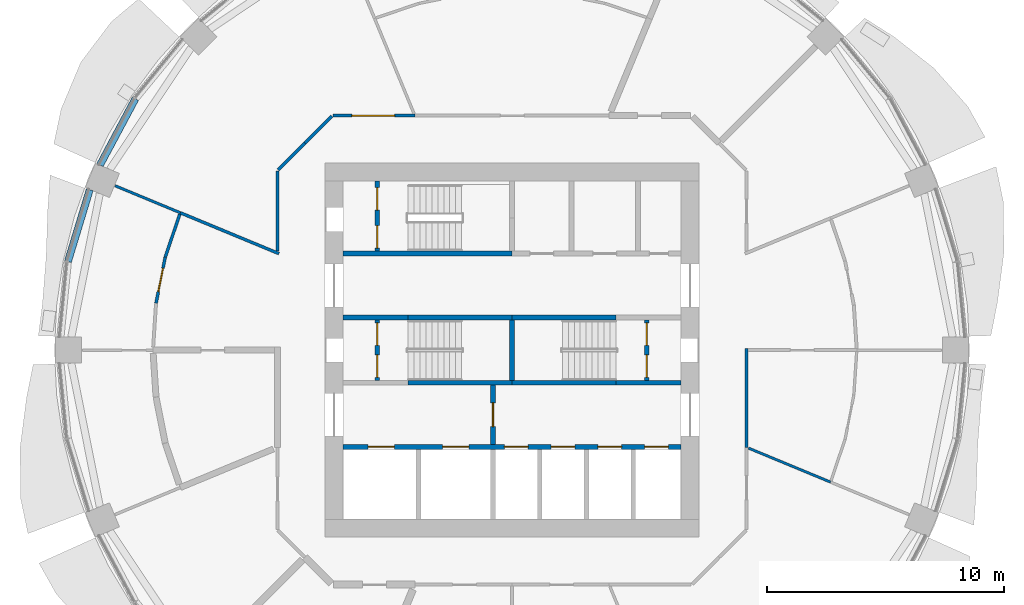
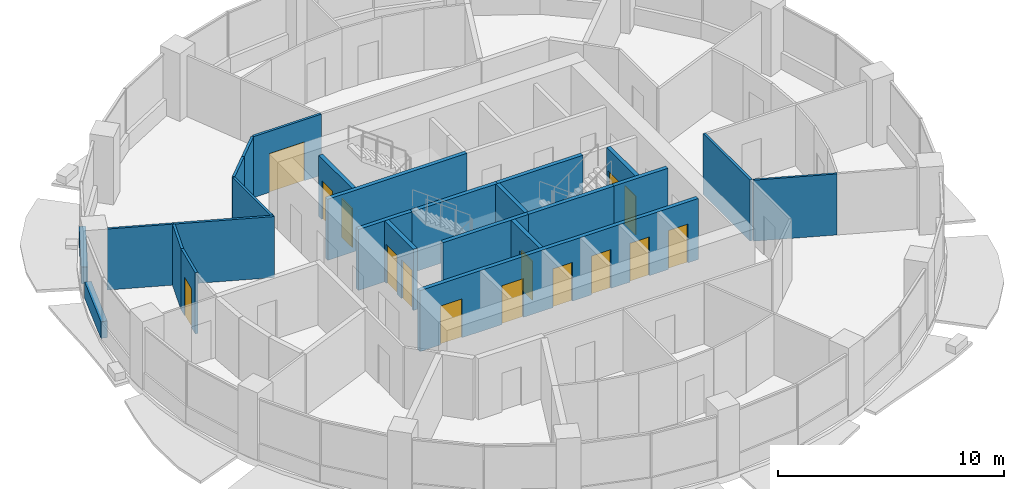
# One storey, part 8 of 14: 25 walls, 15 doors, 15 openings.
"""IFC4 building model written with IfcOpenShell, lengths in metres."""

from ifc_helpers import new_model, si_unit, direction, frame, frame_2d, origin, place, context, subcontext, project, spatial, rectangle, extrude, material, layer, layer_set, type_object, element, fill, save


model = new_model("IFC4")

# Units and contexts
model_context = context("Model", 3, precision=1e-05, world=origin(), true_north=direction((0.0, 1.0)))
body_context = subcontext(model_context, "Body", "Model", "MODEL_VIEW")
ifc_project = project(units=[si_unit("LENGTHUNIT", "METRE"), si_unit("AREAUNIT", "SQUARE_METRE"), si_unit("VOLUMEUNIT", "CUBIC_METRE"), si_unit("PLANEANGLEUNIT", "RADIAN"), si_unit("MASSUNIT", "GRAM", prefix="KILO")], contexts=[model_context])

# Site, building, storey
site_placement = place(None, origin())
site = spatial("IfcSite", under=ifc_project, at=site_placement, CompositionType="ELEMENT")
building_placement = place(site_placement, origin())
building = spatial("IfcBuilding", under=site, at=building_placement, Name="Polderwave Tower", CompositionType="ELEMENT")
storey_placement = place(building_placement, frame((0.0, 0.0, 101.949951171875)))
storey = spatial("IfcBuildingStorey", under=building, at=storey_placement, Name="L26", CompositionType="ELEMENT", Elevation=101.949951171875)

# Walls
ifc_material_1 = material(Name="Concrete C50/60 (board-marked)", Category="concrete")
ifc_layer_1 = layer(ifc_material_1, 0.300048828125)
ifc_layer_set_1 = layer_set([ifc_layer_1], Name="Concrete spandrel upstand C50/60")
wall_type_1 = type_object("IfcWallType", Name="Concrete spandrel upstand C50/60", PredefinedType="SOLIDWALL", material=ifc_layer_set_1)
wall_1_placement = place(storey_placement, frame((-15.863037109375, 10.581787109375, 0.0), z_axis=(0.0, 0.0, 1.0), x_axis=(-0.471238306932, -0.882005928597, 0.0)))
element("IfcWall", 1, at=wall_1_placement, inside=storey, type_object=wall_type_1, Name="Spandrel L26 7b", PredefinedType="SOLIDWALL", context=body_context, shape_type="SweptSolid", body=[
    extrude(rectangle(XDim=3.1572265625, YDim=0.300048828125, at=frame_2d((1.57861328125, 0.0))), origin(), (0.0, 0.0, 1.0), 0.900146484375),
])
wall_2_placement = place(storey_placement, frame((-17.782470703125, 6.755615234375, 0.0), z_axis=(0.0, 0.0, 1.0), x_axis=(-0.290503096001, -0.956874051907, 0.0)))
element("IfcWall", 2, at=wall_2_placement, inside=storey, type_object=wall_type_1, Name="Spandrel L26 8a", PredefinedType="SOLIDWALL", context=body_context, shape_type="SweptSolid", body=[
    extrude(rectangle(XDim=3.157470703125, YDim=0.300048828125, at=frame_2d((1.57861328125, 0.0))), origin(), (0.0, 0.0, 1.0), 0.900146484375),
])

# Wall, opening, door
ifc_material_2 = material(Name="Gypsum board partition")
ifc_layer_2 = layer(ifc_material_2, 0.199951171875)
ifc_layer_set_2 = layer_set([ifc_layer_2], Name="Core room partition 200")
wall_type_2 = type_object("IfcWallType", Name="Core room partition 200", PredefinedType="PARTITIONING", material=ifc_layer_set_2)
wall_3_placement = place(storey_placement, frame((-0.800048828125, -3.97412109375, 0.0), z_axis=(0.0, 0.0, 1.0), x_axis=(0.0, 1.0, 0.0)))
wall_3 = element("IfcWall", 3, at=wall_3_placement, inside=storey, type_object=wall_type_2, Name="L26 fire-fighting lobby wall", PredefinedType="PARTITIONING", context=body_context, shape_type="SweptSolid", body=[
    extrude(rectangle(XDim=2.4990234375, YDim=0.199951171875, at=frame_2d((1.24951171875, 0.0))), origin(), (0.0, 0.0, 1.0), 3.300048828125),
])
opening_1_placement = place(wall_3_placement, frame((0.74951171875, 0.0, 0.0)))
opening_1 = element("IfcOpeningElement", 4, at=opening_1_placement, cuts=wall_3, Name="Opening L26-D13", PredefinedType="OPENING", context=body_context, shape_type="SweptSolid", body=[
    extrude(rectangle(XDim=1.0, YDim=2.10009765625, at=frame_2d((0.5, 1.050048828125))), frame((0.0, 0.10986328125, 0.0), z_axis=(0.0, -1.0, 0.0), x_axis=(1.0, 0.0, 0.0)), (0.0, 0.0, 1.0), 0.219970703125),
])
ifc_material_3 = material(Name="Steel fire door", Category="steel")
door_type_1 = type_object("IfcDoorType", Name="Lobby fire door 1000", OperationType="NOTDEFINED", PredefinedType="DOOR", material=ifc_material_3)
door_1_placement = place(opening_1_placement, frame((1.0, 0.0, 0.0), z_axis=(0.0, 0.0, 1.0), x_axis=(-1.0, 0.0, 0.0)))
door_1 = element("IfcDoor", 5, at=door_1_placement, inside=storey, type_object=door_type_1, Name="Fire-fighting lobby door", OperationType="SINGLE_SWING_LEFT", OverallHeight=2.10009765625, OverallWidth=1.0, PredefinedType="DOOR", context=body_context, shape_type="SweptSolid", body=[
    extrude(rectangle(XDim=1.0, YDim=2.10009765625, at=frame_2d((0.5, 1.050048828125))), frame((0.0, 0.02490234375, 0.0), z_axis=(0.0, -1.0, 0.0), x_axis=(1.0, 0.0, 0.0)), (0.0, 0.0, 1.0), 0.050048828125),
])
fill(opening_1, door_1)

# Wall, openings, doors
wall_4_placement = place(storey_placement, frame((-5.674072265625, -1.27490234375, 0.0), z_axis=(0.0, 0.0, 1.0), x_axis=(0.0, 1.0, 0.0)))
wall_4 = element("IfcWall", 6, at=wall_4_placement, inside=storey, type_object=wall_type_2, Name="L26 smoke lobby wall A", PredefinedType="PARTITIONING", context=body_context, shape_type="SweptSolid", body=[
    extrude(rectangle(XDim=2.5498046875, YDim=0.199951171875, at=frame_2d((1.27490234375, 0.0))), origin(), (0.0, 0.0, 1.0), 3.300048828125),
])
opening_2_placement = place(wall_4_placement, frame((0.125, 0.0, 0.0)))
opening_2 = element("IfcOpeningElement", 7, at=opening_2_placement, cuts=wall_4, Name="Opening L26-D07", PredefinedType="OPENING", context=body_context, shape_type="SweptSolid", body=[
    extrude(rectangle(XDim=0.949951171875, YDim=2.10009765625, at=frame_2d((0.47509765625, 1.050048828125))), frame((0.0, 0.10986328125, 0.0), z_axis=(0.0, -1.0, 0.0), x_axis=(1.0, 0.0, 0.0)), (0.0, 0.0, 1.0), 0.219970703125),
])
opening_3_placement = place(wall_4_placement, frame((1.47509765625, 0.0, 0.0)))
opening_3 = element("IfcOpeningElement", 8, at=opening_3_placement, cuts=wall_4, Name="Opening L26-D08", PredefinedType="OPENING", context=body_context, shape_type="SweptSolid", body=[
    extrude(rectangle(XDim=0.949951171875, YDim=2.10009765625, at=frame_2d((0.47509765625, 1.050048828125))), frame((0.0, 0.10986328125, 0.0), z_axis=(0.0, -1.0, 0.0), x_axis=(1.0, 0.0, 0.0)), (0.0, 0.0, 1.0), 0.219970703125),
])
door_type_2 = type_object("IfcDoorType", Name="Smoke lobby door 950", OperationType="NOTDEFINED", PredefinedType="DOOR", material=ifc_material_3)
door_2_placement = place(opening_2_placement, origin())
door_2 = element("IfcDoor", 9, at=door_2_placement, inside=storey, type_object=door_type_2, Name="Stair A smoke lobby inner door", OperationType="SINGLE_SWING_LEFT", OverallHeight=2.10009765625, OverallWidth=0.949951171875, PredefinedType="DOOR", context=body_context, shape_type="SweptSolid", body=[
    extrude(rectangle(XDim=0.949951171875, YDim=2.10009765625, at=frame_2d((0.47509765625, 1.050048828125))), frame((0.0, 0.02490234375, 0.0), z_axis=(0.0, -1.0, 0.0), x_axis=(1.0, 0.0, 0.0)), (0.0, 0.0, 1.0), 0.050048828125),
])
fill(opening_2, door_2)
door_3_placement = place(opening_3_placement, origin())
door_3 = element("IfcDoor", 10, at=door_3_placement, inside=storey, type_object=door_type_2, Name="Stair A smoke lobby inner door", OperationType="SINGLE_SWING_RIGHT", OverallHeight=2.10009765625, OverallWidth=0.949951171875, PredefinedType="DOOR", context=body_context, shape_type="SweptSolid", body=[
    extrude(rectangle(XDim=0.949951171875, YDim=2.10009765625, at=frame_2d((0.47509765625, 1.050048828125))), frame((0.0, 0.02490234375, 0.0), z_axis=(0.0, -1.0, 0.0), x_axis=(1.0, 0.0, 0.0)), (0.0, 0.0, 1.0), 0.050048828125),
])
fill(opening_3, door_3)

wall_5_placement = place(storey_placement, frame((5.674072265625, -1.27490234375, 0.0), z_axis=(0.0, 0.0, 1.0), x_axis=(0.0, 1.0, 0.0)))
wall_5 = element("IfcWall", 11, at=wall_5_placement, inside=storey, type_object=wall_type_2, Name="L26 smoke lobby wall B", PredefinedType="PARTITIONING", context=body_context, shape_type="SweptSolid", body=[
    extrude(rectangle(XDim=2.5498046875, YDim=0.199951171875, at=frame_2d((1.27490234375, 0.0))), origin(), (0.0, 0.0, 1.0), 3.300048828125),
])
opening_4_placement = place(wall_5_placement, frame((0.125, 0.0, 0.0)))
opening_4 = element("IfcOpeningElement", 12, at=opening_4_placement, cuts=wall_5, Name="Opening L26-D09", PredefinedType="OPENING", context=body_context, shape_type="SweptSolid", body=[
    extrude(rectangle(XDim=0.949951171875, YDim=2.10009765625, at=frame_2d((0.47509765625, 1.050048828125))), frame((0.0, 0.10986328125, 0.0), z_axis=(0.0, -1.0, 0.0), x_axis=(1.0, 0.0, 0.0)), (0.0, 0.0, 1.0), 0.219970703125),
])
opening_5_placement = place(wall_5_placement, frame((1.47509765625, 0.0, 0.0)))
opening_5 = element("IfcOpeningElement", 13, at=opening_5_placement, cuts=wall_5, Name="Opening L26-D10", PredefinedType="OPENING", context=body_context, shape_type="SweptSolid", body=[
    extrude(rectangle(XDim=0.949951171875, YDim=2.10009765625, at=frame_2d((0.47509765625, 1.050048828125))), frame((0.0, 0.10986328125, 0.0), z_axis=(0.0, -1.0, 0.0), x_axis=(1.0, 0.0, 0.0)), (0.0, 0.0, 1.0), 0.219970703125),
])
door_4_placement = place(opening_4_placement, frame((0.949951171875, 0.0, 0.0), z_axis=(0.0, 0.0, 1.0), x_axis=(-1.0, 0.0, 0.0)))
door_4 = element("IfcDoor", 14, at=door_4_placement, inside=storey, type_object=door_type_2, Name="Stair B smoke lobby inner door", OperationType="SINGLE_SWING_RIGHT", OverallHeight=2.10009765625, OverallWidth=0.949951171875, PredefinedType="DOOR", context=body_context, shape_type="SweptSolid", body=[
    extrude(rectangle(XDim=0.949951171875, YDim=2.10009765625, at=frame_2d((0.47509765625, 1.050048828125))), frame((0.0, 0.02490234375, 0.0), z_axis=(0.0, -1.0, 0.0), x_axis=(1.0, 0.0, 0.0)), (0.0, 0.0, 1.0), 0.050048828125),
])
fill(opening_4, door_4)
door_5_placement = place(opening_5_placement, frame((0.949951171875, 0.0, 0.0), z_axis=(0.0, 0.0, 1.0), x_axis=(-1.0, 0.0, 0.0)))
door_5 = element("IfcDoor", 15, at=door_5_placement, inside=storey, type_object=door_type_2, Name="Stair B smoke lobby inner door", OperationType="SINGLE_SWING_LEFT", OverallHeight=2.10009765625, OverallWidth=0.949951171875, PredefinedType="DOOR", context=body_context, shape_type="SweptSolid", body=[
    extrude(rectangle(XDim=0.949951171875, YDim=2.10009765625, at=frame_2d((0.47509765625, 1.050048828125))), frame((0.0, 0.02490234375, 0.0), z_axis=(0.0, -1.0, 0.0), x_axis=(1.0, 0.0, 0.0)), (0.0, 0.0, 1.0), 0.050048828125),
])
fill(opening_5, door_5)

wall_6_placement = place(storey_placement, frame((-5.674072265625, 4.174072265625, 0.0), z_axis=(0.0, 0.0, 1.0), x_axis=(0.0, 1.0, 0.0)))
wall_6 = element("IfcWall", 16, at=wall_6_placement, inside=storey, type_object=wall_type_2, Name="L26 smoke lobby wall C", PredefinedType="PARTITIONING", context=body_context, shape_type="SweptSolid", body=[
    extrude(rectangle(XDim=2.949951171875, YDim=0.199951171875, at=frame_2d((1.47509765625, 0.0))), origin(), (0.0, 0.0, 1.0), 3.300048828125),
])
opening_6_placement = place(wall_6_placement, frame((0.125, 0.0, 0.0)))
opening_6 = element("IfcOpeningElement", 17, at=opening_6_placement, cuts=wall_6, Name="Opening L26-D11", PredefinedType="OPENING", context=body_context, shape_type="SweptSolid", body=[
    extrude(rectangle(XDim=0.949951171875, YDim=2.10009765625, at=frame_2d((0.47509765625, 1.050048828125))), frame((0.0, 0.10986328125, 0.0), z_axis=(0.0, -1.0, 0.0), x_axis=(1.0, 0.0, 0.0)), (0.0, 0.0, 1.0), 0.219970703125),
])
opening_7_placement = place(wall_6_placement, frame((1.72509765625, 0.0, 0.0)))
opening_7 = element("IfcOpeningElement", 18, at=opening_7_placement, cuts=wall_6, Name="Opening L26-D12", PredefinedType="OPENING", context=body_context, shape_type="SweptSolid", body=[
    extrude(rectangle(XDim=0.949951171875, YDim=2.10009765625, at=frame_2d((0.47509765625, 1.050048828125))), frame((0.0, 0.10986328125, 0.0), z_axis=(0.0, -1.0, 0.0), x_axis=(1.0, 0.0, 0.0)), (0.0, 0.0, 1.0), 0.219970703125),
])
door_6_placement = place(opening_6_placement, origin())
door_6 = element("IfcDoor", 19, at=door_6_placement, inside=storey, type_object=door_type_2, Name="Stair C smoke lobby inner door", OperationType="SINGLE_SWING_LEFT", OverallHeight=2.10009765625, OverallWidth=0.949951171875, PredefinedType="DOOR", context=body_context, shape_type="SweptSolid", body=[
    extrude(rectangle(XDim=0.949951171875, YDim=2.10009765625, at=frame_2d((0.47509765625, 1.050048828125))), frame((0.0, 0.02490234375, 0.0), z_axis=(0.0, -1.0, 0.0), x_axis=(1.0, 0.0, 0.0)), (0.0, 0.0, 1.0), 0.050048828125),
])
fill(opening_6, door_6)
door_7_placement = place(opening_7_placement, origin())
door_7 = element("IfcDoor", 20, at=door_7_placement, inside=storey, type_object=door_type_2, Name="Stair C smoke lobby inner door", OperationType="SINGLE_SWING_RIGHT", OverallHeight=2.10009765625, OverallWidth=0.949951171875, PredefinedType="DOOR", context=body_context, shape_type="SweptSolid", body=[
    extrude(rectangle(XDim=0.949951171875, YDim=2.10009765625, at=frame_2d((0.47509765625, 1.050048828125))), frame((0.0, 0.02490234375, 0.0), z_axis=(0.0, -1.0, 0.0), x_axis=(1.0, 0.0, 0.0)), (0.0, 0.0, 1.0), 0.050048828125),
])
fill(opening_7, door_7)

ifc_material_4 = material(Name="Concrete C50/60", Category="concrete")
ifc_layer_3 = layer(ifc_material_4, 0.199951171875)
ifc_layer_set_3 = layer_set([ifc_layer_3], Name="Core web wall 200")
wall_type_3 = type_object("IfcWallType", Name="Core web wall 200", PredefinedType="SHEAR", material=ifc_layer_set_3)
wall_7_placement = place(storey_placement, frame((-7.1240234375, -4.073974609375, 0.0), z_axis=(0.0, 0.0, 1.0), x_axis=(1.0, 0.0, 0.0)))
wall_7 = element("IfcWall", 21, at=wall_7_placement, inside=storey, type_object=wall_type_3, Name="L26 south front wall", PredefinedType="SHEAR", context=body_context, shape_type="SweptSolid", body=[
    extrude(rectangle(XDim=14.248046875, YDim=0.199951171875, at=frame_2d((7.1240234375, 0.0))), origin(), (0.0, 0.0, 1.0), 3.300048828125),
])
opening_8_placement = place(wall_7_placement, frame((1.068603515625, 0.0, 0.0)))
opening_8 = element("IfcOpeningElement", 22, at=opening_8_placement, cuts=wall_7, Name="Opening L26-D01", PredefinedType="OPENING", context=body_context, shape_type="SweptSolid", body=[
    extrude(rectangle(XDim=1.10009765625, YDim=2.10009765625, at=frame_2d((0.550048828125, 1.050048828125))), frame((0.0, 0.10986328125, 0.0), z_axis=(0.0, -1.0, 0.0), x_axis=(1.0, 0.0, 0.0)), (0.0, 0.0, 1.0), 0.219970703125),
])
opening_9_placement = place(wall_7_placement, frame((4.20556640625, 0.0, 0.0)))
opening_9 = element("IfcOpeningElement", 23, at=opening_9_placement, cuts=wall_7, Name="Opening L26-D02", PredefinedType="OPENING", context=body_context, shape_type="SweptSolid", body=[
    extrude(rectangle(XDim=1.10009765625, YDim=2.10009765625, at=frame_2d((0.550048828125, 1.050048828125))), frame((0.0, 0.10986328125, 0.0), z_axis=(0.0, -1.0, 0.0), x_axis=(1.0, 0.0, 0.0)), (0.0, 0.0, 1.0), 0.219970703125),
])
opening_10_placement = place(wall_7_placement, frame((6.80810546875, 0.0, 0.0)))
opening_10 = element("IfcOpeningElement", 24, at=opening_10_placement, cuts=wall_7, Name="Opening L26-D03", PredefinedType="OPENING", context=body_context, shape_type="SweptSolid", body=[
    extrude(rectangle(XDim=1.0, YDim=2.10009765625, at=frame_2d((0.5, 1.050048828125))), frame((0.0, 0.10986328125, 0.0), z_axis=(0.0, -1.0, 0.0), x_axis=(1.0, 0.0, 0.0)), (0.0, 0.0, 1.0), 0.219970703125),
])
opening_11_placement = place(wall_7_placement, frame((8.776611328125, 0.0, 0.0)))
opening_11 = element("IfcOpeningElement", 25, at=opening_11_placement, cuts=wall_7, Name="Opening L26-D04", PredefinedType="OPENING", context=body_context, shape_type="SweptSolid", body=[
    extrude(rectangle(XDim=1.0, YDim=2.10009765625, at=frame_2d((0.5, 1.050048828125))), frame((0.0, 0.10986328125, 0.0), z_axis=(0.0, -1.0, 0.0), x_axis=(1.0, 0.0, 0.0)), (0.0, 0.0, 1.0), 0.219970703125),
])
opening_12_placement = place(wall_7_placement, frame((10.7451171875, 0.0, 0.0)))
opening_12 = element("IfcOpeningElement", 26, at=opening_12_placement, cuts=wall_7, Name="Opening L26-D05", PredefinedType="OPENING", context=body_context, shape_type="SweptSolid", body=[
    extrude(rectangle(XDim=1.0, YDim=2.10009765625, at=frame_2d((0.5, 1.050048828125))), frame((0.0, 0.10986328125, 0.0), z_axis=(0.0, -1.0, 0.0), x_axis=(1.0, 0.0, 0.0)), (0.0, 0.0, 1.0), 0.219970703125),
])
opening_13_placement = place(wall_7_placement, frame((12.7138671875, 0.0, 0.0)))
opening_13 = element("IfcOpeningElement", 27, at=opening_13_placement, cuts=wall_7, Name="Opening L26-D06", PredefinedType="OPENING", context=body_context, shape_type="SweptSolid", body=[
    extrude(rectangle(XDim=1.0, YDim=2.10009765625, at=frame_2d((0.5, 1.050048828125))), frame((0.0, 0.10986328125, 0.0), z_axis=(0.0, -1.0, 0.0), x_axis=(1.0, 0.0, 0.0)), (0.0, 0.0, 1.0), 0.219970703125),
])
ifc_material_5 = material(Name="Stainless steel", Category="steel")
door_type_3 = type_object("IfcDoorType", Name="Fire-fighting lift landing door 1100", OperationType="DOUBLE_DOOR_SLIDING", PredefinedType="DOOR", material=ifc_material_5)
door_8_placement = place(opening_8_placement, origin())
door_8 = element("IfcDoor", 28, at=door_8_placement, inside=storey, type_object=door_type_3, Name="Fire-fighting lift FF1 landing door", OperationType="DOUBLE_DOOR_SLIDING", OverallHeight=2.10009765625, OverallWidth=1.10009765625, PredefinedType="DOOR", context=body_context, shape_type="SweptSolid", body=[
    extrude(rectangle(XDim=1.10009765625, YDim=2.10009765625, at=frame_2d((0.550048828125, 1.050048828125))), frame((0.0, 0.02490234375, 0.0), z_axis=(0.0, -1.0, 0.0), x_axis=(1.0, 0.0, 0.0)), (0.0, 0.0, 1.0), 0.050048828125),
])
fill(opening_8, door_8)
door_9_placement = place(opening_9_placement, origin())
door_9 = element("IfcDoor", 29, at=door_9_placement, inside=storey, type_object=door_type_3, Name="Fire-fighting lift FF2 landing door", OperationType="DOUBLE_DOOR_SLIDING", OverallHeight=2.10009765625, OverallWidth=1.10009765625, PredefinedType="DOOR", context=body_context, shape_type="SweptSolid", body=[
    extrude(rectangle(XDim=1.10009765625, YDim=2.10009765625, at=frame_2d((0.550048828125, 1.050048828125))), frame((0.0, 0.02490234375, 0.0), z_axis=(0.0, -1.0, 0.0), x_axis=(1.0, 0.0, 0.0)), (0.0, 0.0, 1.0), 0.050048828125),
])
fill(opening_9, door_9)
door_type_4 = type_object("IfcDoorType", Name="Lift landing door 1000", OperationType="DOUBLE_DOOR_SLIDING", PredefinedType="DOOR", material=ifc_material_5)
door_10_placement = place(opening_10_placement, origin())
door_10 = element("IfcDoor", 30, at=door_10_placement, inside=storey, type_object=door_type_4, Name="Lift LL1 landing door", OperationType="DOUBLE_DOOR_SLIDING", OverallHeight=2.10009765625, OverallWidth=1.0, PredefinedType="DOOR", context=body_context, shape_type="SweptSolid", body=[
    extrude(rectangle(XDim=1.0, YDim=2.10009765625, at=frame_2d((0.5, 1.050048828125))), frame((0.0, 0.02490234375, 0.0), z_axis=(0.0, -1.0, 0.0), x_axis=(1.0, 0.0, 0.0)), (0.0, 0.0, 1.0), 0.050048828125),
])
fill(opening_10, door_10)
door_11_placement = place(opening_11_placement, origin())
door_11 = element("IfcDoor", 31, at=door_11_placement, inside=storey, type_object=door_type_4, Name="Lift LL2 landing door", OperationType="DOUBLE_DOOR_SLIDING", OverallHeight=2.10009765625, OverallWidth=1.0, PredefinedType="DOOR", context=body_context, shape_type="SweptSolid", body=[
    extrude(rectangle(XDim=1.0, YDim=2.10009765625, at=frame_2d((0.5, 1.050048828125))), frame((0.0, 0.02490234375, 0.0), z_axis=(0.0, -1.0, 0.0), x_axis=(1.0, 0.0, 0.0)), (0.0, 0.0, 1.0), 0.050048828125),
])
fill(opening_11, door_11)
door_12_placement = place(opening_12_placement, origin())
door_12 = element("IfcDoor", 32, at=door_12_placement, inside=storey, type_object=door_type_4, Name="Lift LL3 landing door", OperationType="DOUBLE_DOOR_SLIDING", OverallHeight=2.10009765625, OverallWidth=1.0, PredefinedType="DOOR", context=body_context, shape_type="SweptSolid", body=[
    extrude(rectangle(XDim=1.0, YDim=2.10009765625, at=frame_2d((0.5, 1.050048828125))), frame((0.0, 0.02490234375, 0.0), z_axis=(0.0, -1.0, 0.0), x_axis=(1.0, 0.0, 0.0)), (0.0, 0.0, 1.0), 0.050048828125),
])
fill(opening_12, door_12)
door_13_placement = place(opening_13_placement, origin())
door_13 = element("IfcDoor", 33, at=door_13_placement, inside=storey, type_object=door_type_4, Name="Lift LL4 landing door", OperationType="DOUBLE_DOOR_SLIDING", OverallHeight=2.10009765625, OverallWidth=1.0, PredefinedType="DOOR", context=body_context, shape_type="SweptSolid", body=[
    extrude(rectangle(XDim=1.0, YDim=2.10009765625, at=frame_2d((0.5, 1.050048828125))), frame((0.0, 0.02490234375, 0.0), z_axis=(0.0, -1.0, 0.0), x_axis=(1.0, 0.0, 0.0)), (0.0, 0.0, 1.0), 0.050048828125),
])
fill(opening_13, door_13)

# Walls
wall_8_placement = place(storey_placement, frame((-7.1240234375, 4.073974609375, 0.0), z_axis=(0.0, 0.0, 1.0), x_axis=(1.0, 0.0, 0.0)))
element("IfcWall", 34, at=wall_8_placement, inside=storey, type_object=wall_type_3, Name="L26 north front wall 1", PredefinedType="SHEAR", context=body_context, shape_type="SweptSolid", body=[
    extrude(rectangle(XDim=7.1240234375, YDim=0.199951171875, at=frame_2d((3.56201171875, 0.0))), origin(), (0.0, 0.0, 1.0), 3.300048828125),
])
for number, where, z_axis, x_axis, name in (
    (35, (-4.3740234375, -1.375, 0.0), (0.0, 0.0, 1.0), (1.0, 0.0, 0.0), "L26 south stair wall 2"),
    (36, (0.0, -1.375, 0.0), (0.0, 0.0, 1.0), (1.0, 0.0, 0.0), "L26 south stair wall 3"),
):
    element("IfcWall", number, at=place(storey_placement, frame(where, z_axis=z_axis, x_axis=x_axis)), inside=storey, type_object=wall_type_3, Name=name, PredefinedType="SHEAR", context=body_context, shape_type="SweptSolid", body=[
        extrude(rectangle(XDim=4.3740234375, YDim=0.199951171875, at=frame_2d((2.18701171875, 0.0))), origin(), (0.0, 0.0, 1.0), 3.300048828125),
    ])
for number, where, z_axis, x_axis, name in (
    (37, (4.3740234375, -1.375, 0.0), (0.0, 0.0, 1.0), (1.0, 0.0, 0.0), "L26 south stair wall 4"),
    (38, (-7.1240234375, 1.375, 0.0), (0.0, 0.0, 1.0), (1.0, 0.0, 0.0), "L26 north stair wall 1"),
):
    element("IfcWall", number, at=place(storey_placement, frame(where, z_axis=z_axis, x_axis=x_axis)), inside=storey, type_object=wall_type_3, Name=name, PredefinedType="SHEAR", context=body_context, shape_type="SweptSolid", body=[
        extrude(rectangle(XDim=2.75, YDim=0.199951171875, at=frame_2d((1.375, 0.0))), origin(), (0.0, 0.0, 1.0), 3.300048828125),
    ])
for number, where, z_axis, x_axis, name in (
    (39, (-4.3740234375, 1.375, 0.0), (0.0, 0.0, 1.0), (1.0, 0.0, 0.0), "L26 north stair wall 2"),
    (40, (0.0, 1.375, 0.0), (0.0, 0.0, 1.0), (1.0, 0.0, 0.0), "L26 north stair wall 3"),
):
    element("IfcWall", number, at=place(storey_placement, frame(where, z_axis=z_axis, x_axis=x_axis)), inside=storey, type_object=wall_type_3, Name=name, PredefinedType="SHEAR", context=body_context, shape_type="SweptSolid", body=[
        extrude(rectangle(XDim=4.3740234375, YDim=0.199951171875, at=frame_2d((2.18701171875, 0.0))), origin(), (0.0, 0.0, 1.0), 3.300048828125),
    ])
wall_9_placement = place(storey_placement, frame((0.0, -1.27490234375, 0.0), z_axis=(0.0, 0.0, 1.0), x_axis=(0.0, 1.0, 0.0)))
element("IfcWall", 41, at=wall_9_placement, inside=storey, type_object=wall_type_3, Name="L26 wall between the stairs", PredefinedType="SHEAR", context=body_context, shape_type="SweptSolid", body=[
    extrude(rectangle(XDim=2.5498046875, YDim=0.199951171875, at=frame_2d((1.27490234375, 0.0))), origin(), (0.0, 0.0, 1.0), 3.300048828125),
])
ifc_material_6 = material(Name="Fire-resisting board on steel studs", Category="steel")
ifc_layer_4 = layer(ifc_material_6, 0.125)
ifc_layer_set_4 = layer_set([ifc_layer_4], Name="Corridor wall 125 mm EI 60")
wall_type_4 = type_object("IfcWallType", Name="Corridor wall 125 mm EI 60", PredefinedType="PARTITIONING", material=ifc_layer_set_4)
wall_10_placement = place(storey_placement, frame((9.8740234375, 0.0625, 0.0), z_axis=(0.0, 0.0, 1.0), x_axis=(0.0, -1.0, 0.0)))
element("IfcWall", 42, at=wall_10_placement, inside=storey, type_object=wall_type_4, Name="IN-L26-W005", PredefinedType="PARTITIONING", context=body_context, shape_type="SweptSolid", body=[
    extrude(rectangle(XDim=4.15234375, YDim=0.125, at=frame_2d((2.076171875, 0.0))), origin(), (0.0, 0.0, 1.0), 3.300048828125),
])
wall_11_placement = place(storey_placement, frame((-8.722412109375, 8.722412109375, 0.0), z_axis=(0.0, 0.0, 1.0), x_axis=(0.707030604857, 0.70718294931, 0.0)))
element("IfcWall", 43, at=wall_11_placement, inside=storey, type_object=wall_type_4, Name="IN-L26-W009", PredefinedType="PARTITIONING", context=body_context, shape_type="SweptSolid", body=[
    extrude(rectangle(XDim=1.6025390625, YDim=0.125, at=frame_2d((0.80126953125, 0.0))), origin(), (0.0, 0.0, 1.0), 3.300048828125),
])

# Wall, opening, door
wall_12_placement = place(storey_placement, frame((-7.545166015625, 9.8740234375, 0.0), z_axis=(0.0, 0.0, 1.0), x_axis=(1.0, 0.0, 0.0)))
wall_12 = element("IfcWall", 44, at=wall_12_placement, inside=storey, type_object=wall_type_4, Name="IN-L26-W010", PredefinedType="PARTITIONING", context=body_context, shape_type="SweptSolid", body=[
    extrude(rectangle(XDim=3.455322265625, YDim=0.125, at=frame_2d((1.7275390625, 0.0))), origin(), (0.0, 0.0, 1.0), 3.300048828125),
])
opening_14_placement = place(wall_12_placement, frame((0.800048828125, 0.0, 0.0)))
opening_14 = element("IfcOpeningElement", 45, at=opening_14_placement, cuts=wall_12, Name="Opening L26-D54", PredefinedType="OPENING", context=body_context, shape_type="SweptSolid", body=[
    extrude(rectangle(XDim=1.800048828125, YDim=2.10009765625, at=frame_2d((0.89990234375, 1.050048828125))), frame((0.0, 0.072509765625, 0.0), z_axis=(0.0, -1.0, 0.0), x_axis=(1.0, 0.0, 0.0)), (0.0, 0.0, 1.0), 0.14501953125),
])
ifc_material_7 = material(Name="Timber fire door leaves", Category="wood")
door_type_5 = type_object("IfcDoorType", Name="Double fire door FD30S 1800 x 2100", OperationType="NOTDEFINED", PredefinedType="DOOR", material=ifc_material_7)
door_14_placement = place(opening_14_placement, origin())
door_14 = element("IfcDoor", 46, at=door_14_placement, inside=storey, type_object=door_type_5, Name="Door L26-D54", OperationType="DOUBLE_DOOR_SINGLE_SWING", OverallHeight=2.10009765625, OverallWidth=1.800048828125, PredefinedType="DOOR", context=body_context, shape_type="SweptSolid", body=[
    extrude(rectangle(XDim=1.800048828125, YDim=2.10009765625, at=frame_2d((0.89990234375, 1.050048828125))), frame((0.0, 0.02490234375, 0.0), z_axis=(0.0, -1.0, 0.0), x_axis=(1.0, 0.0, 0.0)), (0.0, 0.0, 1.0), 0.050048828125),
])
fill(opening_14, door_14)

# Walls
wall_13_placement = place(storey_placement, frame((-9.8740234375, 4.183349609375, 0.0), z_axis=(0.0, 0.0, 1.0), x_axis=(0.0, 1.0, 0.0)))
element("IfcWall", 47, at=wall_13_placement, inside=storey, type_object=wall_type_4, Name="IN-L26-W011", PredefinedType="PARTITIONING", context=body_context, shape_type="SweptSolid", body=[
    extrude(rectangle(XDim=3.36181640625, YDim=0.125, at=frame_2d((1.680908203125, 0.0))), origin(), (0.0, 0.0, 1.0), 3.300048828125),
])
wall_14_placement = place(storey_placement, frame((-9.855712890625, 7.58935546875, 0.0), z_axis=(0.0, 0.0, 1.0), x_axis=(0.70718294931, 0.707030604857, 0.0)))
element("IfcWall", 48, at=wall_14_placement, inside=storey, type_object=wall_type_4, Name="IN-L26-W012", PredefinedType="PARTITIONING", context=body_context, shape_type="SweptSolid", body=[
    extrude(rectangle(XDim=1.6025390625, YDim=0.125, at=frame_2d((0.80126953125, 0.0))), origin(), (0.0, 0.0, 1.0), 3.300048828125),
])
wall_15_placement = place(storey_placement, frame((-9.81640625, 4.06591796875, 0.0), z_axis=(0.0, 0.0, 1.0), x_axis=(-0.923867212496, 0.382713174158, 0.0)))
element("IfcWall", 49, at=wall_15_placement, inside=storey, type_object=wall_type_4, Name="IN-L26-W041", PredefinedType="PARTITIONING", context=body_context, shape_type="SweptSolid", body=[
    extrude(rectangle(XDim=4.494873046875, YDim=0.125, at=frame_2d((2.24755859375, 0.0))), origin(), (0.0, 0.0, 1.0), 3.300048828125),
])

# Wall, opening, door
wall_16_placement = place(storey_placement, frame((-14.98974609375, 1.9775390625, 0.0), z_axis=(0.0, 0.0, 1.0), x_axis=(0.194995562173, 0.980804124549, 0.0)))
wall_16 = element("IfcWall", 50, at=wall_16_placement, inside=storey, type_object=wall_type_4, Name="IN-L26-W044", PredefinedType="PARTITIONING", context=body_context, shape_type="SweptSolid", body=[
    extrude(rectangle(XDim=1.969482421875, YDim=0.125, at=frame_2d((0.98486328125, 0.0))), origin(), (0.0, 0.0, 1.0), 3.300048828125),
])
opening_15_placement = place(wall_16_placement, frame((0.5, 0.0, 0.0)))
opening_15 = element("IfcOpeningElement", 51, at=opening_15_placement, cuts=wall_16, Name="Opening L26-D63", PredefinedType="OPENING", context=body_context, shape_type="SweptSolid", body=[
    extrude(rectangle(XDim=1.0, YDim=2.10009765625, at=frame_2d((0.5, 1.050048828125))), frame((0.0, 0.072509765625, 0.0), z_axis=(0.0, -1.0, 0.0), x_axis=(1.0, 0.0, 0.0)), (0.0, 0.0, 1.0), 0.14501953125),
])
ifc_material_8 = material(Name="Timber fire door leaf", Category="wood")
door_type_6 = type_object("IfcDoorType", Name="Fire door FD30S 1000 x 2100", OperationType="NOTDEFINED", PredefinedType="DOOR", material=ifc_material_8)
door_15_placement = place(opening_15_placement, origin())
door_15 = element("IfcDoor", 52, at=door_15_placement, inside=storey, type_object=door_type_6, Name="Door L26-D63", OperationType="SINGLE_SWING_RIGHT", OverallHeight=2.10009765625, OverallWidth=1.0, PredefinedType="DOOR", context=body_context, shape_type="SweptSolid", body=[
    extrude(rectangle(XDim=1.0, YDim=2.10009765625, at=frame_2d((0.5, 1.050048828125))), frame((0.0, 0.02490234375, 0.0), z_axis=(0.0, -1.0, 0.0), x_axis=(1.0, 0.0, 0.0)), (0.0, 0.0, 1.0), 0.050048828125),
])
fill(opening_15, door_15)

# Walls
wall_17_placement = place(storey_placement, frame((-14.603515625, 3.917236328125, 0.0), z_axis=(0.0, 0.0, 1.0), x_axis=(0.321484961169, 0.946914684511, 0.0)))
element("IfcWall", 53, at=wall_17_placement, inside=storey, type_object=wall_type_4, Name="IN-L26-W045", PredefinedType="PARTITIONING", context=body_context, shape_type="SweptSolid", body=[
    extrude(rectangle(XDim=1.906982421875, YDim=0.125, at=frame_2d((0.95361328125, 0.0))), origin(), (0.0, 0.0, 1.0), 3.300048828125),
])
ifc_material_9 = material(Name="Moisture-resistant board on steel studs, tiled", Category="steel")
ifc_layer_5 = layer(ifc_material_9, 0.10498046875)
ifc_layer_set_5 = layer_set([ifc_layer_5], Name="Partition 105 mm wet room board and tile")
wall_type_5 = type_object("IfcWallType", Name="Partition 105 mm wet room board and tile", PredefinedType="PARTITIONING", material=ifc_layer_set_5)
wall_18_placement = place(storey_placement, frame((9.95654296875, -4.1240234375, 0.0), z_axis=(0.0, 0.0, 1.0), x_axis=(0.923887259949, -0.382664776147, 0.0)))
element("IfcWall", 54, at=wall_18_placement, inside=storey, type_object=wall_type_5, Name="IN-L26-W065", PredefinedType="PARTITIONING", context=body_context, shape_type="SweptSolid", body=[
    extrude(rectangle(XDim=3.7431640625, YDim=0.10498046875, at=frame_2d((1.87158203125, 0.0))), origin(), (0.0, 0.0, 1.0), 3.300048828125),
])
ifc_material_10 = material(Name="Acoustic double plasterboard on steel studs", Category="steel")
ifc_layer_6 = layer(ifc_material_10, 0.110107421875)
ifc_layer_set_6 = layer_set([ifc_layer_6], Name="Partition 110 mm acoustic double board")
wall_type_6 = type_object("IfcWallType", Name="Partition 110 mm acoustic double board", PredefinedType="PARTITIONING", material=ifc_layer_set_6)
wall_19_placement = place(storey_placement, frame((-13.968994140625, 5.7861328125, 0.0), z_axis=(0.0, 0.0, 1.0), x_axis=(-0.923889594764, 0.382659139036, 0.0)))
element("IfcWall", 55, at=wall_19_placement, inside=storey, type_object=wall_type_6, Name="IN-L26-W042", PredefinedType="PARTITIONING", context=body_context, shape_type="SweptSolid", body=[
    extrude(rectangle(XDim=2.969970703125, YDim=0.110107421875, at=frame_2d((1.48486328125, 0.0))), origin(), (0.0, 0.0, 1.0), 3.300048828125),
])

save(model, "model.ifc")
